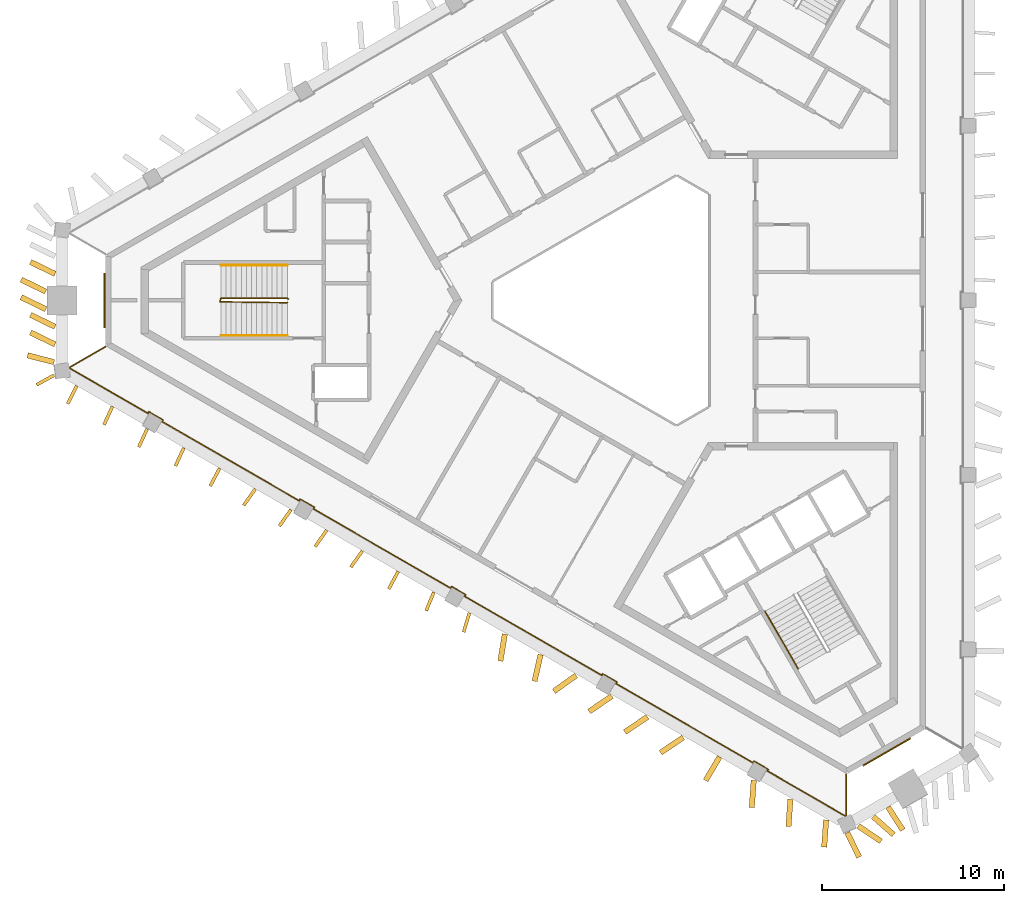
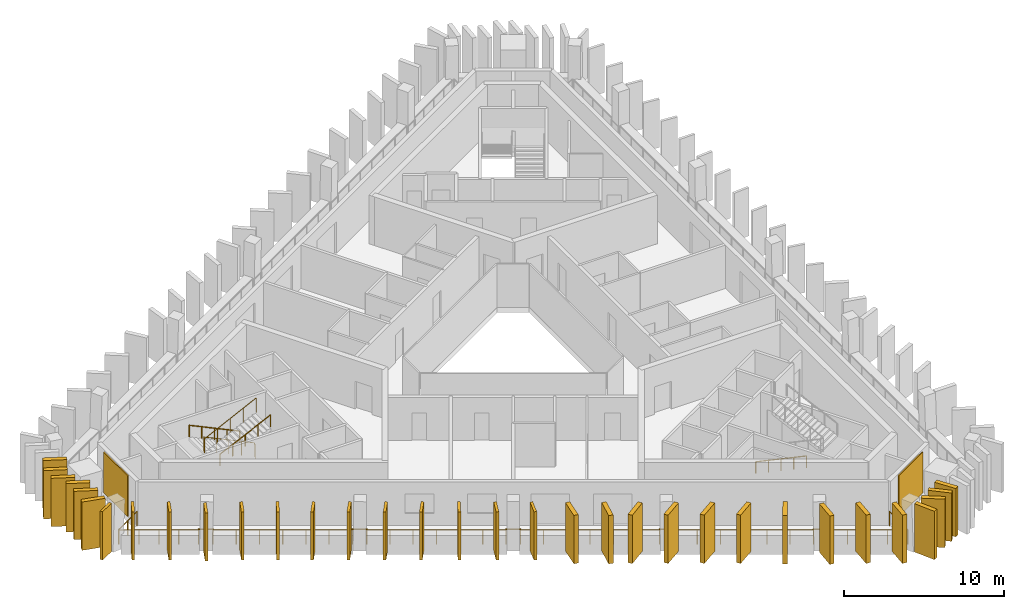
# One storey, part 7 of 9: 33 shading devices, 5 railings, 2 coverings.
"""IFC4 building model written with IfcOpenShell, lengths in metres."""

from ifc_helpers import new_model, si_unit, direction, frame, frame_2d, origin, origin_2d, place, context, subcontext, project, spatial, rectangle, circle, extrude, material, layer, layer_set, type_object, element, save


model = new_model("IFC4")

# Units and contexts
model_context = context("Model", 3, precision=1e-05, world=origin(), true_north=direction((0.0, 1.0)))
body_context = subcontext(model_context, "Body", "Model", "MODEL_VIEW")
ifc_project = project(units=[si_unit("LENGTHUNIT", "METRE"), si_unit("AREAUNIT", "SQUARE_METRE"), si_unit("VOLUMEUNIT", "CUBIC_METRE"), si_unit("PLANEANGLEUNIT", "RADIAN"), si_unit("MASSUNIT", "GRAM", prefix="KILO")], contexts=[model_context])

# Site, building, storey
site_placement = place(None, origin())
site = spatial("IfcSite", under=ifc_project, at=site_placement, CompositionType="ELEMENT")
building_placement = place(site_placement, origin())
building = spatial("IfcBuilding", under=site, at=building_placement, Name="Jabali Bay Hotel Tower and Convention Centre", CompositionType="ELEMENT")
storey_placement = place(building_placement, frame((0.0, 0.0, 288.60009765625)))
storey = spatial("IfcBuildingStorey", under=building, at=storey_placement, Name="L71", CompositionType="ELEMENT", Elevation=288.60009765625)

# Railing
ifc_material_1 = material(Name="Glass", Category="glass")
railing_type_1 = type_object("IfcRailingType", Name="Loggia glass guard 1100", PredefinedType="BALUSTRADE", material=ifc_material_1)
railing_1_placement = place(storey_placement, frame((87.08203125, 53.995849609375, 0.0)))
element("IfcRailing", 1, at=railing_1_placement, inside=storey, type_object=railing_type_1, Name="Loggia glass guard L71", PredefinedType="BALUSTRADE", context=body_context, shape_type="SweptSolid", body=[
    extrude(circle(Radius=0.02490234375, at=origin_2d()), frame((0.0, 0.0, 1.0751953125), z_axis=(0.0, -1.0, 0.0), x_axis=(0.991444861374, 0.0, 0.13052619222)), (0.0, 0.0, 1.0), 2.27490234375),
    extrude(circle(Radius=0.02490234375, at=origin_2d()), frame((0.0, -2.27490234375, 1.0751953125), z_axis=(-0.919145030018, -0.393919298579, 0.0), x_axis=(0.390549264372, -0.911281616869, 0.13052619222)), (0.0, 0.0, 1.0), 0.037109375),
    extrude(circle(Radius=0.02490234375, at=origin_2d()), frame((-0.0341796875, -2.28955078125, 1.0751953125), z_axis=(-0.866029228753, 0.499993374902, 0.0), x_axis=(-0.495715862267, -0.858620228647, 0.13052619222)), (0.0, 0.0, 1.0), 4.96630859375),
    extrude(circle(Radius=0.02490234375, at=origin_2d()), frame((-4.335205078125, 0.193603515625, 1.0751953125), z_axis=(0.500074377092, 0.865982457891, 0.0), x_axis=(-0.858573857916, 0.495796171473, 0.13052619222)), (0.0, 0.0, 1.0), 0.10009765625),
    extrude(circle(Radius=0.02490234375, at=origin_2d()), frame((-4.28515625, 0.2802734375, 1.0751953125), z_axis=(-0.866013897511, 0.50001992892, 0.0), x_axis=(-0.495742189112, -0.858605028566, 0.13052619222)), (0.0, 0.0, 1.0), 0.89990234375),
    extrude(circle(Radius=0.02490234375, at=origin_2d()), frame((-5.064453125, 0.730224609375, 1.0751953125), z_axis=(-0.500074377092, -0.865982457891, 0.0), x_axis=(0.858573857916, -0.495796171473, 0.13052619222)), (0.0, 0.0, 1.0), 0.10009765625),
    extrude(circle(Radius=0.02490234375, at=origin_2d()), frame((-5.114501953125, 0.6435546875, 1.0751953125), z_axis=(-0.866028248005, 0.499995073634, 0.0), x_axis=(-0.495717546466, -0.858619256289, 0.13052619222)), (0.0, 0.0, 1.0), 8.68212890625),
    extrude(circle(Radius=0.02490234375, at=origin_2d()), frame((-12.633544921875, 4.984619140625, 1.0751953125), z_axis=(0.500074377092, 0.865982457891, 0.0), x_axis=(-0.858573857916, 0.495796171473, 0.13052619222)), (0.0, 0.0, 1.0), 0.10009765625),
    extrude(circle(Radius=0.02490234375, at=origin_2d()), frame((-12.58349609375, 5.0712890625, 1.0751953125), z_axis=(-0.866081705922, 0.499902469156, 0.0), x_axis=(-0.495625734232, -0.858672256866, 0.13052619222)), (0.0, 0.0, 1.0), 0.900146484375),
    extrude(circle(Radius=0.02490234375, at=origin_2d()), frame((-13.363037109375, 5.521240234375, 1.0751953125), z_axis=(-0.4982416694, -0.867038199201, 0.0), x_axis=(0.859620567213, -0.493979142849, 0.13052619222)), (0.0, 0.0, 1.0), 0.099853515625),
    extrude(circle(Radius=0.02490234375, at=origin_2d()), frame((-13.412841796875, 5.4345703125, 1.0751953125), z_axis=(-0.866028248005, 0.499995073634, 0.0), x_axis=(-0.495717546466, -0.858619256289, 0.13052619222)), (0.0, 0.0, 1.0), 8.68212890625),
    extrude(circle(Radius=0.02490234375, at=origin_2d()), frame((-20.931884765625, 9.775634765625, 1.0751953125), z_axis=(0.500074377092, 0.865982457891, 0.0), x_axis=(-0.858573857916, 0.495796171473, 0.13052619222)), (0.0, 0.0, 1.0), 0.10009765625),
    extrude(circle(Radius=0.02490234375, at=origin_2d()), frame((-20.8818359375, 9.8623046875, 1.0751953125), z_axis=(-0.866081705922, 0.499902469156, 0.0), x_axis=(-0.495625734232, -0.858672256866, 0.13052619222)), (0.0, 0.0, 1.0), 0.900146484375),
    extrude(circle(Radius=0.02490234375, at=origin_2d()), frame((-21.661376953125, 10.312255859375, 1.0751953125), z_axis=(-0.501132629342, -0.865370491644, 0.0), x_axis=(0.857967127125, -0.496845370228, 0.13052619222)), (0.0, 0.0, 1.0), 0.099853515625),
    extrude(circle(Radius=0.02490234375, at=origin_2d()), frame((-21.71142578125, 10.225830078125, 1.0751953125), z_axis=(-0.86602121798, 0.500007249956, 0.0), x_axis=(-0.495729618619, -0.858612286407, 0.13052619222)), (0.0, 0.0, 1.0), 8.681884765625),
    extrude(circle(Radius=0.02490234375, at=origin_2d()), frame((-29.230224609375, 14.56689453125, 1.0751953125), z_axis=(0.501132629342, 0.865370491644, 0.0), x_axis=(-0.857967127125, 0.496845370228, 0.13052619222)), (0.0, 0.0, 1.0), 0.099853515625),
    extrude(circle(Radius=0.02490234375, at=origin_2d()), frame((-29.18017578125, 14.6533203125, 1.0751953125), z_axis=(-0.865964261186, 0.500105887137, 0.0), x_axis=(-0.495827411944, -0.858555816886, 0.13052619222)), (0.0, 0.0, 1.0), 0.900146484375),
    extrude(circle(Radius=0.02490234375, at=origin_2d()), frame((-29.959716796875, 15.103515625, 1.0751953125), z_axis=(-0.500074377092, -0.865982457891, 0.0), x_axis=(0.858573857916, -0.495796171473, 0.13052619222)), (0.0, 0.0, 1.0), 0.10009765625),
    extrude(circle(Radius=0.02490234375, at=origin_2d()), frame((-30.009765625, 15.016845703125, 1.0751953125), z_axis=(-0.86602121798, 0.500007249956, 0.0), x_axis=(-0.495729618619, -0.858612286407, 0.13052619222)), (0.0, 0.0, 1.0), 8.681884765625),
    extrude(circle(Radius=0.02490234375, at=origin_2d()), frame((-37.528564453125, 19.35791015625, 1.0751953125), z_axis=(0.4982416694, 0.867038199201, 0.0), x_axis=(-0.859620567213, 0.493979142849, 0.13052619222)), (0.0, 0.0, 1.0), 0.099853515625),
    extrude(circle(Radius=0.02490234375, at=origin_2d()), frame((-37.478759765625, 19.444580078125, 1.0751953125), z_axis=(-0.866013897511, 0.50001992892, 0.0), x_axis=(-0.495742189112, -0.858605028566, 0.13052619222)), (0.0, 0.0, 1.0), 0.89990234375),
    extrude(circle(Radius=0.02490234375, at=origin_2d()), frame((-38.258056640625, 19.89453125, 1.0751953125), z_axis=(-0.500074377092, -0.865982457891, 0.0), x_axis=(0.858573857916, -0.495796171473, 0.13052619222)), (0.0, 0.0, 1.0), 0.10009765625),
    extrude(circle(Radius=0.02490234375, at=origin_2d()), frame((-38.30810546875, 19.807861328125, 1.0751953125), z_axis=(-0.866016938613, 0.500014661821, 0.0), x_axis=(-0.495736967074, -0.85860804365, 0.13052619222)), (0.0, 0.0, 1.0), 4.966064453125),
    extrude(circle(Radius=0.02490234375, at=origin_2d()), frame((-42.60888671875, 22.291015625, 1.0751953125), z_axis=(-0.124843395554, 0.9921764594, 0.0), x_axis=(-0.983688252248, -0.123775342998, 0.13052619222)), (0.0, 0.0, 1.0), 0.037109375),
    extrude(circle(Radius=0.02490234375, at=origin_2d()), frame((-42.613525390625, 22.327880859375, 1.0751953125), z_axis=(0.865989003036, 0.500063042646, 0.0), x_axis=(-0.495784933994, 0.858580347067, 0.13052619222)), (0.0, 0.0, 1.0), 2.275146484375),
    extrude(circle(Radius=0.02001953125, at=origin_2d()), origin(), (0.0, 0.0, 1.0), 1.050048828125),
    extrude(circle(Radius=0.02001953125, at=origin_2d()), frame((0.0, -1.137451171875, 0.0)), (0.0, 0.0, 1.0), 1.050048828125),
    extrude(circle(Radius=0.02001953125, at=origin_2d()), frame((0.0, -2.27490234375, 0.0)), (0.0, 0.0, 1.0), 1.050048828125),
    extrude(circle(Radius=0.02001953125, at=origin_2d()), frame((-0.0341796875, -2.28955078125, 0.0)), (0.0, 0.0, 1.0), 1.050048828125),
    extrude(circle(Radius=0.02001953125, at=origin_2d()), frame((-1.109375, -1.668701171875, 0.0)), (0.0, 0.0, 1.0), 1.050048828125),
    extrude(circle(Radius=0.02001953125, at=origin_2d()), frame((-2.1845703125, -1.0478515625, 0.0)), (0.0, 0.0, 1.0), 1.050048828125),
    extrude(circle(Radius=0.02001953125, at=origin_2d()), frame((-3.260009765625, -0.42724609375, 0.0)), (0.0, 0.0, 1.0), 1.050048828125),
    extrude(circle(Radius=0.02001953125, at=origin_2d()), frame((-4.335205078125, 0.193603515625, 0.0)), (0.0, 0.0, 1.0), 1.050048828125),
    extrude(circle(Radius=0.02001953125, at=origin_2d()), frame((-4.28515625, 0.2802734375, 0.0)), (0.0, 0.0, 1.0), 1.050048828125),
    extrude(circle(Radius=0.02001953125, at=origin_2d()), frame((-5.064453125, 0.730224609375, 0.0)), (0.0, 0.0, 1.0), 1.050048828125),
    extrude(circle(Radius=0.02001953125, at=origin_2d()), frame((-5.114501953125, 0.6435546875, 0.0)), (0.0, 0.0, 1.0), 1.050048828125),
    extrude(circle(Radius=0.02001953125, at=origin_2d()), frame((-6.36767578125, 1.3671875, 0.0)), (0.0, 0.0, 1.0), 1.050048828125),
    extrude(circle(Radius=0.02001953125, at=origin_2d()), frame((-7.620849609375, 2.090576171875, 0.0)), (0.0, 0.0, 1.0), 1.050048828125),
    extrude(circle(Radius=0.02001953125, at=origin_2d()), frame((-8.8740234375, 2.81396484375, 0.0)), (0.0, 0.0, 1.0), 1.050048828125),
    extrude(circle(Radius=0.02001953125, at=origin_2d()), frame((-10.127197265625, 3.53759765625, 0.0)), (0.0, 0.0, 1.0), 1.050048828125),
    extrude(circle(Radius=0.02001953125, at=origin_2d()), frame((-11.38037109375, 4.26123046875, 0.0)), (0.0, 0.0, 1.0), 1.050048828125),
    extrude(circle(Radius=0.02001953125, at=origin_2d()), frame((-12.633544921875, 4.984619140625, 0.0)), (0.0, 0.0, 1.0), 1.050048828125),
    extrude(circle(Radius=0.02001953125, at=origin_2d()), frame((-12.58349609375, 5.0712890625, 0.0)), (0.0, 0.0, 1.0), 1.050048828125),
    extrude(circle(Radius=0.02001953125, at=origin_2d()), frame((-13.363037109375, 5.521240234375, 0.0)), (0.0, 0.0, 1.0), 1.050048828125),
    extrude(circle(Radius=0.02001953125, at=origin_2d()), frame((-13.412841796875, 5.4345703125, 0.0)), (0.0, 0.0, 1.0), 1.050048828125),
    extrude(circle(Radius=0.02001953125, at=origin_2d()), frame((-14.666015625, 6.158203125, 0.0)), (0.0, 0.0, 1.0), 1.050048828125),
    extrude(circle(Radius=0.02001953125, at=origin_2d()), frame((-15.919189453125, 6.881591796875, 0.0)), (0.0, 0.0, 1.0), 1.050048828125),
    extrude(circle(Radius=0.02001953125, at=origin_2d()), frame((-17.17236328125, 7.60498046875, 0.0)), (0.0, 0.0, 1.0), 1.050048828125),
    extrude(circle(Radius=0.02001953125, at=origin_2d()), frame((-18.425537109375, 8.32861328125, 0.0)), (0.0, 0.0, 1.0), 1.050048828125),
    extrude(circle(Radius=0.02001953125, at=origin_2d()), frame((-19.6787109375, 9.05224609375, 0.0)), (0.0, 0.0, 1.0), 1.050048828125),
    extrude(circle(Radius=0.02001953125, at=origin_2d()), frame((-20.931884765625, 9.775634765625, 0.0)), (0.0, 0.0, 1.0), 1.050048828125),
    extrude(circle(Radius=0.02001953125, at=origin_2d()), frame((-20.8818359375, 9.8623046875, 0.0)), (0.0, 0.0, 1.0), 1.050048828125),
    extrude(circle(Radius=0.02001953125, at=origin_2d()), frame((-21.661376953125, 10.312255859375, 0.0)), (0.0, 0.0, 1.0), 1.050048828125),
    extrude(circle(Radius=0.02001953125, at=origin_2d()), frame((-21.71142578125, 10.225830078125, 0.0)), (0.0, 0.0, 1.0), 1.050048828125),
    extrude(circle(Radius=0.02001953125, at=origin_2d()), frame((-22.964599609375, 10.94921875, 0.0)), (0.0, 0.0, 1.0), 1.050048828125),
    extrude(circle(Radius=0.02001953125, at=origin_2d()), frame((-24.2177734375, 11.6728515625, 0.0)), (0.0, 0.0, 1.0), 1.050048828125),
    extrude(circle(Radius=0.02001953125, at=origin_2d()), frame((-25.470703125, 12.396484375, 0.0)), (0.0, 0.0, 1.0), 1.050048828125),
    extrude(circle(Radius=0.02001953125, at=origin_2d()), frame((-26.723876953125, 13.119873046875, 0.0)), (0.0, 0.0, 1.0), 1.050048828125),
    extrude(circle(Radius=0.02001953125, at=origin_2d()), frame((-27.97705078125, 13.84326171875, 0.0)), (0.0, 0.0, 1.0), 1.050048828125),
    extrude(circle(Radius=0.02001953125, at=origin_2d()), frame((-29.230224609375, 14.56689453125, 0.0)), (0.0, 0.0, 1.0), 1.050048828125),
    extrude(circle(Radius=0.02001953125, at=origin_2d()), frame((-29.18017578125, 14.6533203125, 0.0)), (0.0, 0.0, 1.0), 1.050048828125),
    extrude(circle(Radius=0.02001953125, at=origin_2d()), frame((-29.959716796875, 15.103515625, 0.0)), (0.0, 0.0, 1.0), 1.050048828125),
    extrude(circle(Radius=0.02001953125, at=origin_2d()), frame((-30.009765625, 15.016845703125, 0.0)), (0.0, 0.0, 1.0), 1.050048828125),
    extrude(circle(Radius=0.02001953125, at=origin_2d()), frame((-31.262939453125, 15.740234375, 0.0)), (0.0, 0.0, 1.0), 1.050048828125),
    extrude(circle(Radius=0.02001953125, at=origin_2d()), frame((-32.51611328125, 16.4638671875, 0.0)), (0.0, 0.0, 1.0), 1.050048828125),
    extrude(circle(Radius=0.02001953125, at=origin_2d()), frame((-33.76904296875, 17.1875, 0.0)), (0.0, 0.0, 1.0), 1.050048828125),
    extrude(circle(Radius=0.02001953125, at=origin_2d()), frame((-35.022216796875, 17.910888671875, 0.0)), (0.0, 0.0, 1.0), 1.050048828125),
    extrude(circle(Radius=0.02001953125, at=origin_2d()), frame((-36.275390625, 18.63427734375, 0.0)), (0.0, 0.0, 1.0), 1.050048828125),
    extrude(circle(Radius=0.02001953125, at=origin_2d()), frame((-37.528564453125, 19.35791015625, 0.0)), (0.0, 0.0, 1.0), 1.050048828125),
    extrude(circle(Radius=0.02001953125, at=origin_2d()), frame((-37.478759765625, 19.444580078125, 0.0)), (0.0, 0.0, 1.0), 1.050048828125),
    extrude(circle(Radius=0.02001953125, at=origin_2d()), frame((-38.258056640625, 19.89453125, 0.0)), (0.0, 0.0, 1.0), 1.050048828125),
    extrude(circle(Radius=0.02001953125, at=origin_2d()), frame((-38.30810546875, 19.807861328125, 0.0)), (0.0, 0.0, 1.0), 1.050048828125),
    extrude(circle(Radius=0.02001953125, at=origin_2d()), frame((-39.38330078125, 20.4287109375, 0.0)), (0.0, 0.0, 1.0), 1.050048828125),
    extrude(circle(Radius=0.02001953125, at=origin_2d()), frame((-40.45849609375, 21.04931640625, 0.0)), (0.0, 0.0, 1.0), 1.050048828125),
    extrude(circle(Radius=0.02001953125, at=origin_2d()), frame((-41.53369140625, 21.670166015625, 0.0)), (0.0, 0.0, 1.0), 1.050048828125),
    extrude(circle(Radius=0.02001953125, at=origin_2d()), frame((-42.60888671875, 22.291015625, 0.0)), (0.0, 0.0, 1.0), 1.050048828125),
    extrude(circle(Radius=0.02001953125, at=origin_2d()), frame((-42.613525390625, 22.327880859375, 0.0)), (0.0, 0.0, 1.0), 1.050048828125),
    extrude(circle(Radius=0.02001953125, at=origin_2d()), frame((-41.62841796875, 22.896728515625, 0.0)), (0.0, 0.0, 1.0), 1.050048828125),
    extrude(circle(Radius=0.02001953125, at=origin_2d()), frame((-40.643310546875, 23.465576171875, 0.0)), (0.0, 0.0, 1.0), 1.050048828125),
])

# Shading devices
ifc_material_2 = material(Name="Precast concrete C60", Category="concrete")
ifc_layer_1 = layer(ifc_material_2, 0.179931640625)
ifc_layer_set_1 = layer_set([ifc_layer_1], Name="Precast concrete C60")
shading_device_type_1 = type_object("IfcShadingDeviceType", Name="Precast fin 3680 x 1100", PredefinedType="USERDEFINED", material=ifc_layer_set_1)
shading_device_1_placement = place(storey_placement, frame((44.869384765625, 75.310546875, 0.010009765625), z_axis=(0.0, 0.0, 1.0), x_axis=(-0.451912983689, -0.892062024286, 0.0)))
element("IfcShadingDevice", 2, at=shading_device_1_placement, inside=storey, type_object=shading_device_type_1, Name="Fin L71 060", ObjectType="FIN", PredefinedType="USERDEFINED", context=body_context, shape_type="SweptSolid", body=[
    extrude(rectangle(XDim=1.099853515625, YDim=0.179931640625, at=frame_2d((0.5498046875, 0.0))), origin(), (0.0, 0.0, 1.0), 3.679931640625),
])
shading_device_2_placement = place(storey_placement, frame((46.82666015625, 74.1767578125, 0.010009765625), z_axis=(0.0, 0.0, 1.0), x_axis=(-0.418129071147, -0.908387626436, 0.0)))
element("IfcShadingDevice", 3, at=shading_device_2_placement, inside=storey, type_object=shading_device_type_1, Name="Fin L71 061", ObjectType="FIN", PredefinedType="USERDEFINED", context=body_context, shape_type="SweptSolid", body=[
    extrude(rectangle(XDim=1.10009765625, YDim=0.179931640625, at=frame_2d((0.550048828125, 0.0))), origin(), (0.0, 0.0, 1.0), 3.679931640625),
])
shading_device_3_placement = place(storey_placement, frame((48.731689453125, 72.95263671875, 0.010009765625), z_axis=(0.0, 0.0, 1.0), x_axis=(-0.418847029159, -0.908056807785, 0.0)))
element("IfcShadingDevice", 4, at=shading_device_3_placement, inside=storey, type_object=shading_device_type_1, Name="Fin L71 062", ObjectType="FIN", PredefinedType="USERDEFINED", context=body_context, shape_type="SweptSolid", body=[
    extrude(rectangle(XDim=1.099853515625, YDim=0.179931640625, at=frame_2d((0.5498046875, 0.0))), origin(), (0.0, 0.0, 1.0), 3.679931640625),
])
for number, where, z_axis, x_axis, name in (
    (5, (50.744140625, 71.9150390625, 0.010009765625), (0.0, 0.0, 1.0), (-0.419030028282, -0.9079723759, 0.0), "Fin L71 063"),
    (6, (52.70556640625, 70.788330078125, 0.010009765625), (0.0, 0.0, 1.0), (-0.468305766076, -0.883566471444, 0.0), "Fin L71 064"),
):
    element("IfcShadingDevice", number, at=place(storey_placement, frame(where, z_axis=z_axis, x_axis=x_axis)), inside=storey, type_object=shading_device_type_1, Name=name, ObjectType="FIN", PredefinedType="USERDEFINED", context=body_context, shape_type="SweptSolid", body=[
        extrude(rectangle(XDim=1.10009765625, YDim=0.179931640625, at=frame_2d((0.550048828125, 0.0))), origin(), (0.0, 0.0, 1.0), 3.679931640625),
    ])
shading_device_4_placement = place(storey_placement, frame((54.661865234375, 69.653076171875, 0.010009765625), z_axis=(0.0, 0.0, 1.0), x_axis=(-0.576883613962, -0.816826356053, 0.0)))
element("IfcShadingDevice", 7, at=shading_device_4_placement, inside=storey, type_object=shading_device_type_1, Name="Fin L71 065", ObjectType="FIN", PredefinedType="USERDEFINED", context=body_context, shape_type="SweptSolid", body=[
    extrude(rectangle(XDim=1.099853515625, YDim=0.179931640625, at=frame_2d((0.5498046875, 0.0))), origin(), (0.0, 0.0, 1.0), 3.679931640625),
])
for number, where, z_axis, x_axis, name in (
    (8, (56.62060546875, 68.522216796875, 0.010009765625), (0.0, 0.0, 1.0), (-0.577031680865, -0.816721763686, 0.0), "Fin L71 066"),
    (9, (58.579345703125, 67.39111328125, 0.010009765625), (0.0, 0.0, 1.0), (-0.577937284887, -0.816081181463, 0.0), "Fin L71 067"),
    (10, (60.5380859375, 66.260009765625, 0.010009765625), (0.0, 0.0, 1.0), (-0.580145975537, -0.814512521125, 0.0), "Fin L71 068"),
    (11, (62.49951171875, 65.13427734375, 0.010009765625), (0.0, 0.0, 1.0), (-0.472510855248, -0.881324850253, 0.0), "Fin L71 069"),
    (12, (64.45361328125, 63.9951171875, 0.010009765625), (0.0, 0.0, 1.0), (-0.377275738887, -0.926100975514, 0.0), "Fin L71 070"),
    (13, (66.408447265625, 62.857177734375, 0.010009765625), (0.0, 0.0, 1.0), (-0.289810304524, -0.957084106749, 0.0), "Fin L71 071"),
    (14, (43.6318359375, 75.8984375, 0.010009765625), (0.0, 0.0, 1.0), (-0.876398585885, -0.481586460211, 0.0), "Fin L71 094"),
):
    element("IfcShadingDevice", number, at=place(storey_placement, frame(where, z_axis=z_axis, x_axis=x_axis)), inside=storey, type_object=shading_device_type_1, Name=name, ObjectType="FIN", PredefinedType="USERDEFINED", context=body_context, shape_type="SweptSolid", body=[
        extrude(rectangle(XDim=1.10009765625, YDim=0.179931640625, at=frame_2d((0.550048828125, 0.0))), origin(), (0.0, 0.0, 1.0), 3.679931640625),
    ])
ifc_layer_2 = layer(ifc_material_2, 0.300048828125)
ifc_layer_set_2 = layer_set([ifc_layer_2], Name="Precast concrete C60")
shading_device_type_2 = type_object("IfcShadingDeviceType", Name="Precast fin 3680 x 1500", PredefinedType="USERDEFINED", material=ifc_layer_set_2)
for number, where, z_axis, x_axis, name in (
    (15, (43.686279296875, 81.449951171875, 0.010009765625), (0.0, 0.0, 1.0), (-0.899129499022, 0.43768269784, 0.0), "Fin L71 054"),
    (16, (43.173583984375, 80.4833984375, 0.010009765625), (0.0, 0.0, 1.0), (-0.899129499022, 0.43768269784, 0.0), "Fin L71 055"),
    (17, (43.173583984375, 79.5166015625, 0.010009765625), (0.0, 0.0, 1.0), (-0.899129499022, 0.43768269784, 0.0), "Fin L71 056"),
    (18, (43.686279296875, 78.550048828125, 0.010009765625), (0.0, 0.0, 1.0), (-0.899129499022, 0.43768269784, 0.0), "Fin L71 057"),
    (19, (43.686279296875, 77.58349609375, 0.010009765625), (0.0, 0.0, 1.0), (-0.899129499022, 0.43768269784, 0.0), "Fin L71 058"),
    (20, (43.626953125, 76.61669921875, 0.010009765625), (0.0, 0.0, 1.0), (-0.969371754546, 0.245598048625, 0.0), "Fin L71 059"),
):
    element("IfcShadingDevice", number, at=place(storey_placement, frame(where, z_axis=z_axis, x_axis=x_axis)), inside=storey, type_object=shading_device_type_2, Name=name, ObjectType="FIN", PredefinedType="USERDEFINED", context=body_context, shape_type="SweptSolid", body=[
        extrude(rectangle(XDim=1.5, YDim=0.300048828125, at=frame_2d((0.75, 0.0))), origin(), (0.0, 0.0, 1.0), 3.679931640625),
    ])
shading_device_5_placement = place(storey_placement, frame((68.350830078125, 61.697998046875, 0.010009765625), z_axis=(0.0, 0.0, 1.0), x_axis=(-0.161442458764, -0.986882126958, 0.0)))
element("IfcShadingDevice", 21, at=shading_device_5_placement, inside=storey, type_object=shading_device_type_2, Name="Fin L71 072", ObjectType="FIN", PredefinedType="USERDEFINED", context=body_context, shape_type="SweptSolid", body=[
    extrude(rectangle(XDim=1.500244140625, YDim=0.300048828125, at=frame_2d((0.75, 0.0))), origin(), (0.0, 0.0, 1.0), 3.679931640625),
])
for number, where, z_axis, x_axis, name in (
    (22, (70.31396484375, 60.57470703125, 0.010009765625), (0.0, 0.0, 1.0), (-0.222183893523, -0.975004778172, 0.0), "Fin L71 073"),
    (23, (72.263671875, 59.427978515625, 0.010009765625), (0.0, 0.0, 1.0), (-0.81499632234, -0.579466128926, 0.0), "Fin L71 074"),
):
    element("IfcShadingDevice", number, at=place(storey_placement, frame(where, z_axis=z_axis, x_axis=x_axis)), inside=storey, type_object=shading_device_type_2, Name=name, ObjectType="FIN", PredefinedType="USERDEFINED", context=body_context, shape_type="SweptSolid", body=[
        extrude(rectangle(XDim=1.5, YDim=0.300048828125, at=frame_2d((0.75, 0.0))), origin(), (0.0, 0.0, 1.0), 3.679931640625),
    ])
for number, where, z_axis, x_axis, name in (
    (24, (74.220947265625, 58.29443359375, 0.010009765625), (0.0, 0.0, 1.0), (-0.828072269027, -0.560621367118, 0.0), "Fin L71 075"),
    (25, (76.1796875, 57.163330078125, 0.010009765625), (0.0, 0.0, 1.0), (-0.828527739218, -0.559948020218, 0.0), "Fin L71 076"),
    (26, (78.138427734375, 56.032470703125, 0.010009765625), (0.0, 0.0, 1.0), (-0.828527739218, -0.559948020218, 0.0), "Fin L71 077"),
):
    element("IfcShadingDevice", number, at=place(storey_placement, frame(where, z_axis=z_axis, x_axis=x_axis)), inside=storey, type_object=shading_device_type_2, Name=name, ObjectType="FIN", PredefinedType="USERDEFINED", context=body_context, shape_type="SweptSolid", body=[
        extrude(rectangle(XDim=1.499755859375, YDim=0.300048828125, at=frame_2d((0.75, 0.0))), origin(), (0.0, 0.0, 1.0), 3.679931640625),
    ])
for number, where, z_axis, x_axis, name in (
    (27, (80.129150390625, 54.95703125, 0.010009765625), (0.0, 0.0, 1.0), (-0.509940692096, -0.860209561993, 0.0), "Fin L71 078"),
    (28, (82.00244140625, 53.677734375, 0.010009765625), (0.0, 0.0, 1.0), (-0.070634034433, -0.997502297331, 0.0), "Fin L71 079"),
    (29, (84.014892578125, 52.639892578125, 0.010009765625), (0.0, 0.0, 1.0), (-0.070472092405, -0.99751375138, 0.0), "Fin L71 080"),
):
    element("IfcShadingDevice", number, at=place(storey_placement, frame(where, z_axis=z_axis, x_axis=x_axis)), inside=storey, type_object=shading_device_type_2, Name=name, ObjectType="FIN", PredefinedType="USERDEFINED", context=body_context, shape_type="SweptSolid", body=[
        extrude(rectangle(XDim=1.5, YDim=0.300048828125, at=frame_2d((0.75, 0.0))), origin(), (0.0, 0.0, 1.0), 3.679931640625),
    ])
shading_device_6_placement = place(storey_placement, frame((85.9736328125, 51.5087890625, 0.010009765625), z_axis=(0.0, 0.0, 1.0), x_axis=(-0.070483535293, -0.9975129429, 0.0)))
element("IfcShadingDevice", 30, at=shading_device_6_placement, inside=storey, type_object=shading_device_type_2, Name="Fin L71 081", ObjectType="FIN", PredefinedType="USERDEFINED", context=body_context, shape_type="SweptSolid", body=[
    extrude(rectangle(XDim=1.499755859375, YDim=0.300048828125, at=frame_2d((0.75, 0.0))), origin(), (0.0, 0.0, 1.0), 3.679931640625),
])
shading_device_7_placement = place(storey_placement, frame((87.736572265625, 51.17333984375, 0.010009765625), z_axis=(0.0, 0.0, 1.0), x_axis=(0.828578765843, -0.559872511196, 0.0)))
element("IfcShadingDevice", 31, at=shading_device_7_placement, inside=storey, type_object=shading_device_type_2, Name="Fin L71 082", ObjectType="FIN", PredefinedType="USERDEFINED", context=body_context, shape_type="SweptSolid", body=[
    extrude(rectangle(XDim=1.5, YDim=0.300048828125, at=frame_2d((0.75, 0.0))), origin(), (0.0, 0.0, 1.0), 3.679931640625),
])
shading_device_8_placement = place(storey_placement, frame((88.554931640625, 51.68896484375, 0.010009765625), z_axis=(0.0, 0.0, 1.0), x_axis=(0.748468129774, -0.663170761352, 0.0)))
element("IfcShadingDevice", 32, at=shading_device_8_placement, inside=storey, type_object=shading_device_type_2, Name="Fin L71 083", ObjectType="FIN", PredefinedType="USERDEFINED", context=body_context, shape_type="SweptSolid", body=[
    extrude(rectangle(XDim=1.499755859375, YDim=0.300048828125, at=frame_2d((0.75, 0.0))), origin(), (0.0, 0.0, 1.0), 3.679931640625),
])
for number, where, z_axis, x_axis, name in (
    (33, (89.371826171875, 52.207275390625, 0.010009765625), (0.0, 0.0, 1.0), (0.540839848331, -0.841125590181, 0.0), "Fin L71 084"),
    (34, (87.132080078125, 50.810791015625, 0.010009765625), (0.0, 0.0, 1.0), (0.43768269784, -0.899129499022, 0.0), "Fin L71 095"),
):
    element("IfcShadingDevice", number, at=place(storey_placement, frame(where, z_axis=z_axis, x_axis=x_axis)), inside=storey, type_object=shading_device_type_2, Name=name, ObjectType="FIN", PredefinedType="USERDEFINED", context=body_context, shape_type="SweptSolid", body=[
        extrude(rectangle(XDim=1.5, YDim=0.300048828125, at=frame_2d((0.75, 0.0))), origin(), (0.0, 0.0, 1.0), 3.679931640625),
    ])

# Coverings
ifc_material_3 = material(Name="Precast concrete C40/50", Category="concrete")
ifc_layer_3 = layer(ifc_material_3, 0.080078125)
ifc_layer_set_3 = layer_set([ifc_layer_3], Name="Precast concrete C40/50")
covering_type = type_object("IfcCoveringType", Name="Relief panel 3000 x 3100", PredefinedType="CLADDING", material=ifc_layer_set_3)
for number, where, z_axis, x_axis, name in (
    (35, (46.398681640625, 80.0, 0.099853515625), (0.0, 0.0, 1.0), (0.0, 1.0, 0.0), "Relief panel L71"),
    (36, (89.300537109375, 55.230712890625, 0.099853515625), (0.0, 0.0, 1.0), (-0.866025357411, -0.500000080321, 0.0), "Relief panel L71"),
):
    element("IfcCovering", number, at=place(storey_placement, frame(where, z_axis=z_axis, x_axis=x_axis)), inside=storey, type_object=covering_type, Name=name, PredefinedType="CLADDING", context=body_context, shape_type="SweptSolid", body=[
        extrude(rectangle(XDim=3.0, YDim=0.080078125, at=origin_2d()), origin(), (0.0, 0.0, 1.0), 3.10009765625),
    ])

# Railings
ifc_material_4 = material(Name="Steel Q355B", Category="steel")
railing_type_2 = type_object("IfcRailingType", Name="Stair guard 1100", PredefinedType="GUARDRAIL", material=ifc_material_4)
railing_2_placement = place(storey_placement, frame((56.469970703125, 80.074951171875, 0.0)))
element("IfcRailing", 37, at=railing_2_placement, inside=storey, type_object=railing_type_2, Name="L71 ST1 stair guard 1", PredefinedType="GUARDRAIL", context=body_context, shape_type="SweptSolid", body=[
    extrude(circle(Radius=0.02392578125, at=origin_2d()), frame((0.0, 0.0, 1.076171875), z_axis=(-0.333993628408, 0.333993628408, 0.881417331555), x_axis=(-0.707106781187, -0.707106781187, 0.0)), (0.0, 0.0, 1.0), 0.14990234375),
    extrude(circle(Radius=0.02392578125, at=origin_2d()), frame((-0.050048828125, 0.050048828125, 1.2080078125), z_axis=(-0.904350763662, 0.0, 0.426789990819), x_axis=(0.0, -1.0, 0.0)), (0.0, 0.0, 1.0), 4.02490234375),
    extrude(circle(Radius=0.02392578125, at=origin_2d()), frame((-3.68994140625, 0.050048828125, 2.92578125), z_axis=(-0.242814311512, -0.970072785993, 0.0), x_axis=(0.970072785993, -0.242814311512, 0.0)), (0.0, 0.0, 1.0), 0.2060546875),
    extrude(circle(Radius=0.02392578125, at=origin_2d()), frame((-3.739990234375, -0.14990234375, 2.92578125), z_axis=(0.893864111827, -0.012124000458, 0.448174026692), x_axis=(0.013562335953, 0.999908027292, 0.0)), (0.0, 0.0, 1.0), 4.128173828125),
    extrude(circle(Radius=0.02099609375, at=origin_2d()), origin(), (0.0, 0.0, 1.0), 1.052001953125),
    extrude(circle(Radius=0.02099609375, at=origin_2d()), frame((-0.050048828125, 0.050048828125, 0.132080078125)), (0.0, 0.0, 1.0), 1.052001953125),
    extrude(circle(Radius=0.02099609375, at=origin_2d()), frame((-0.9599609375, 0.050048828125, 0.5615234375)), (0.0, 0.0, 1.0), 1.052001953125),
    extrude(circle(Radius=0.02099609375, at=origin_2d()), frame((-1.8701171875, 0.050048828125, 0.990966796875)), (0.0, 0.0, 1.0), 1.052001953125),
    extrude(circle(Radius=0.02099609375, at=origin_2d()), frame((-2.780029296875, 0.050048828125, 1.42041015625)), (0.0, 0.0, 1.0), 1.052001953125),
    extrude(circle(Radius=0.02099609375, at=origin_2d()), frame((-3.68994140625, 0.050048828125, 1.849853515625)), (0.0, 0.0, 1.0), 1.052001953125),
    extrude(circle(Radius=0.02099609375, at=origin_2d()), frame((-3.739990234375, -0.14990234375, 1.849853515625)), (0.0, 0.0, 1.0), 1.052001953125),
    extrude(circle(Radius=0.02099609375, at=origin_2d()), frame((-2.8173828125, -0.162353515625, 2.3125)), (0.0, 0.0, 1.0), 1.052001953125),
    extrude(circle(Radius=0.02099609375, at=origin_2d()), frame((-1.89501953125, -0.1748046875, 2.77490234375)), (0.0, 0.0, 1.0), 1.052001953125),
    extrude(circle(Radius=0.02099609375, at=origin_2d()), frame((-0.97265625, -0.1875, 3.2373046875)), (0.0, 0.0, 1.0), 1.052001953125),
    extrude(circle(Radius=0.02099609375, at=origin_2d()), frame((-0.050048828125, -0.199951171875, 3.699951171875)), (0.0, 0.0, 1.0), 1.052001953125),
])
railing_type_3 = type_object("IfcRailingType", Name="Stair handrail 900", PredefinedType="HANDRAIL", material=ifc_material_4)
railing_3_placement = place(storey_placement, frame((56.419921875, 81.925048828125, 0.132080078125)))
element("IfcRailing", 38, at=railing_3_placement, inside=storey, type_object=railing_type_3, Name="L71 ST1 stair handrail 1", PredefinedType="HANDRAIL", context=body_context, shape_type="SweptSolid", body=[
    extrude(circle(Radius=0.02392578125, at=origin_2d()), frame((0.0, 0.0, 0.8759765625), z_axis=(-0.904350763662, 0.0, 0.426789990819), x_axis=(0.0, -1.0, 0.0)), (0.0, 0.0, 1.0), 4.02490234375),
    extrude(circle(Radius=0.02099609375, at=origin_2d()), origin(), (0.0, 0.0, 1.0), 0.851806640625),
    extrude(circle(Radius=0.02099609375, at=origin_2d()), frame((-0.909912109375, 0.0, 0.429443359375)), (0.0, 0.0, 1.0), 0.851806640625),
    extrude(circle(Radius=0.02099609375, at=origin_2d()), frame((-1.81982421875, 0.0, 0.85888671875)), (0.0, 0.0, 1.0), 0.851806640625),
    extrude(circle(Radius=0.02099609375, at=origin_2d()), frame((-2.72998046875, 0.0, 1.288330078125)), (0.0, 0.0, 1.0), 0.851806640625),
    extrude(circle(Radius=0.02099609375, at=origin_2d()), frame((-3.639892578125, 0.0, 1.7177734375)), (0.0, 0.0, 1.0), 0.851806640625),
])
railing_4_placement = place(storey_placement, frame((52.780029296875, 78.074951171875, 1.98193359375)))
element("IfcRailing", 39, at=railing_4_placement, inside=storey, type_object=railing_type_3, Name="L71 ST1 stair handrail 2", PredefinedType="HANDRAIL", context=body_context, shape_type="SweptSolid", body=[
    extrude(circle(Radius=0.02392578125, at=origin_2d()), frame((0.0, 0.0, 0.8759765625), z_axis=(0.904327350853, 0.0, 0.426839598092), x_axis=(0.0, 1.0, 0.0)), (0.0, 0.0, 1.0), 4.02490234375),
    extrude(circle(Radius=0.02099609375, at=origin_2d()), origin(), (0.0, 0.0, 1.0), 0.851806640625),
    extrude(circle(Radius=0.02099609375, at=origin_2d()), frame((0.909912109375, 0.0, 0.429443359375)), (0.0, 0.0, 1.0), 0.851806640625),
    extrude(circle(Radius=0.02099609375, at=origin_2d()), frame((1.81982421875, 0.0, 0.85888671875)), (0.0, 0.0, 1.0), 0.851806640625),
    extrude(circle(Radius=0.02099609375, at=origin_2d()), frame((2.72998046875, 0.0, 1.28857421875)), (0.0, 0.0, 1.0), 0.851806640625),
    extrude(circle(Radius=0.02099609375, at=origin_2d()), frame((3.639892578125, 0.0, 1.718017578125)), (0.0, 0.0, 1.0), 0.851806640625),
])
railing_5_placement = place(storey_placement, frame((82.622802734375, 62.94677734375, 0.132080078125)))
element("IfcRailing", 40, at=railing_5_placement, inside=storey, type_object=railing_type_3, Name="L71 ST3 stair handrail 1", PredefinedType="HANDRAIL", context=body_context, shape_type="SweptSolid", body=[
    extrude(circle(Radius=0.02392578125, at=origin_2d()), frame((0.0, 0.0, 0.8759765625), z_axis=(0.452190331055, -0.783190014029, 0.426775475427), x_axis=(0.866018046521, 0.500012742938, 0.0)), (0.0, 0.0, 1.0), 4.02490234375),
    extrude(circle(Radius=0.02099609375, at=origin_2d()), origin(), (0.0, 0.0, 1.0), 0.851806640625),
    extrude(circle(Radius=0.02099609375, at=origin_2d()), frame((0.455078125, -0.7880859375, 0.429443359375)), (0.0, 0.0, 1.0), 0.851806640625),
    extrude(circle(Radius=0.02099609375, at=origin_2d()), frame((0.91015625, -1.576171875, 0.85888671875)), (0.0, 0.0, 1.0), 0.851806640625),
    extrude(circle(Radius=0.02099609375, at=origin_2d()), frame((1.364990234375, -2.3642578125, 1.288330078125)), (0.0, 0.0, 1.0), 0.851806640625),
    extrude(circle(Radius=0.02099609375, at=origin_2d()), frame((1.820068359375, -3.15234375, 1.7177734375)), (0.0, 0.0, 1.0), 0.851806640625),
])

save(model, "model.ifc")
